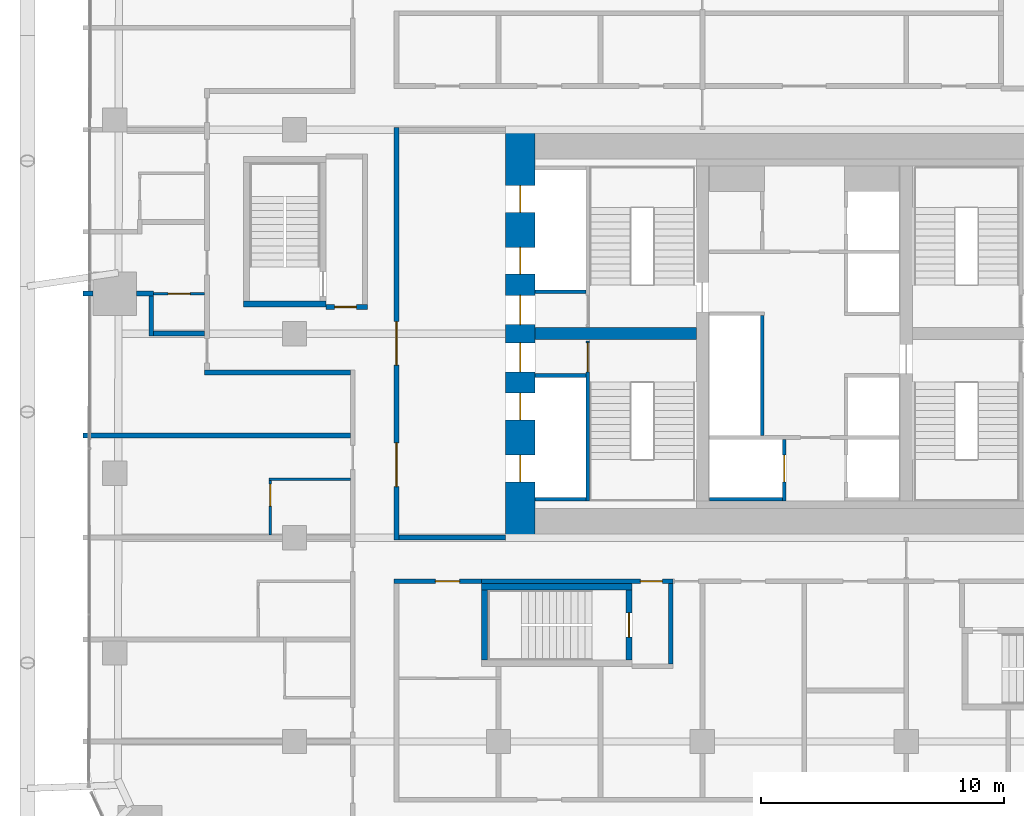
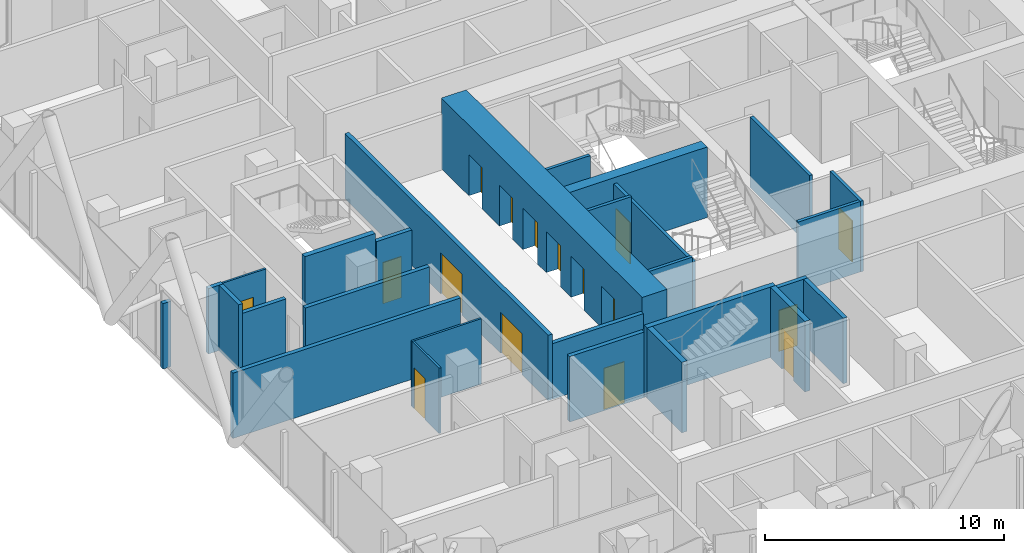
# One storey, part 29 of 38: 28 walls, 16 doors, 16 openings.
"""IFC4 building model written with IfcOpenShell, lengths in metres."""

from ifc_helpers import new_model, si_unit, direction, frame, frame_2d, origin, place, context, subcontext, project, spatial, rectangle, extrude, material, layer, layer_set, type_object, element, fill, save


model = new_model("IFC4")

# Units and contexts
model_context = context("Model", 3, precision=1e-05, world=origin(), true_north=direction((0.0, 1.0)))
body_context = subcontext(model_context, "Body", "Model", "MODEL_VIEW")
ifc_project = project(units=[si_unit("LENGTHUNIT", "METRE"), si_unit("AREAUNIT", "SQUARE_METRE"), si_unit("VOLUMEUNIT", "CUBIC_METRE"), si_unit("PLANEANGLEUNIT", "RADIAN"), si_unit("MASSUNIT", "GRAM", prefix="KILO")], contexts=[model_context])

# Site, building, storey
site_placement = place(None, origin())
site = spatial("IfcSite", under=ifc_project, at=site_placement, CompositionType="ELEMENT")
building_placement = place(site_placement, origin())
building = spatial("IfcBuilding", under=site, at=building_placement, Name="Marenta Gate Hotel Tower", CompositionType="ELEMENT")
storey_placement = place(building_placement, frame((0.0, 0.0, 54.5)))
storey = spatial("IfcBuildingStorey", under=building, at=storey_placement, Name="L11", CompositionType="ELEMENT", Elevation=54.5)

# Wall, openings, doors
ifc_material_1 = material(Name="Concrete blockwork", Category="masonry")
ifc_layer_1 = layer(ifc_material_1, 0.199951171875)
ifc_layer_set_1 = layer_set([ifc_layer_1], Name="Concrete blockwork")
wall_type_1 = type_object("IfcWallType", Name="Core boundary wall 200 REI 180", PredefinedType="PARTITIONING", material=ifc_layer_set_1)
wall_1_placement = place(storey_placement, frame((-16.800048828125, -0.10009765625, 0.0), z_axis=(0.0, 0.0, 1.0), x_axis=(0.0, 1.0, 0.0)))
wall_1 = element("IfcWall", 1, at=wall_1_placement, inside=storey, type_object=wall_type_1, Name="L11-CP-BW-W", PredefinedType="PARTITIONING", context=body_context, shape_type="SweptSolid", body=[
    extrude(rectangle(XDim=17.0, YDim=0.199951171875, at=frame_2d((8.5, 0.0))), origin(), (0.0, 0.0, 1.0), 3.340087890625),
])
opening_1_placement = place(wall_1_placement, frame((2.199951171875, 0.0, 0.0)))
opening_1 = element("IfcOpeningElement", 2, at=opening_1_placement, cuts=wall_1, Name="Opening ED-Wa-B", PredefinedType="OPENING", context=body_context, shape_type="SweptSolid", body=[
    extrude(rectangle(XDim=1.800048828125, YDim=2.10009765625, at=frame_2d((0.89990234375, 1.050048828125))), frame((0.0, 0.10009765625, 0.0), z_axis=(0.0, -1.0, 0.0), x_axis=(1.0, 0.0, 0.0)), (0.0, 0.0, 1.0), 0.199951171875),
])
opening_2_placement = place(wall_1_placement, frame((7.199951171875, 0.0, 0.0)))
opening_2 = element("IfcOpeningElement", 3, at=opening_2_placement, cuts=wall_1, Name="Opening ED-Wb-B", PredefinedType="OPENING", context=body_context, shape_type="SweptSolid", body=[
    extrude(rectangle(XDim=1.800048828125, YDim=2.10009765625, at=frame_2d((0.89990234375, 1.050048828125))), frame((0.0, 0.10009765625, 0.0), z_axis=(0.0, -1.0, 0.0), x_axis=(1.0, 0.0, 0.0)), (0.0, 0.0, 1.0), 0.199951171875),
])
ifc_material_2 = material(Name="Steel", Category="steel")
door_type_1 = type_object("IfcDoorType", Name="Core lobby entrance door 1800x2100 EI 60", OperationType="DOUBLE_DOOR_SINGLE_SWING", PredefinedType="DOOR", material=ifc_material_2)
door_1_placement = place(opening_1_placement, origin())
door_1 = element("IfcDoor", 4, at=door_1_placement, inside=storey, type_object=door_type_1, Name="ED-Wa-B", OperationType="DOUBLE_DOOR_SINGLE_SWING", OverallHeight=2.10009765625, OverallWidth=1.800048828125, PredefinedType="DOOR", context=body_context, shape_type="SweptSolid", body=[
    extrude(rectangle(XDim=1.800048828125, YDim=2.10009765625, at=frame_2d((0.89990234375, 1.050048828125))), frame((0.0, 0.02490234375, 0.0), z_axis=(0.0, -1.0, 0.0), x_axis=(1.0, 0.0, 0.0)), (0.0, 0.0, 1.0), 0.050048828125),
])
fill(opening_1, door_1)
door_2_placement = place(opening_2_placement, origin())
door_2 = element("IfcDoor", 5, at=door_2_placement, inside=storey, type_object=door_type_1, Name="ED-Wb-B", OperationType="DOUBLE_DOOR_SINGLE_SWING", OverallHeight=2.10009765625, OverallWidth=1.800048828125, PredefinedType="DOOR", context=body_context, shape_type="SweptSolid", body=[
    extrude(rectangle(XDim=1.800048828125, YDim=2.10009765625, at=frame_2d((0.89990234375, 1.050048828125))), frame((0.0, 0.02490234375, 0.0), z_axis=(0.0, -1.0, 0.0), x_axis=(1.0, 0.0, 0.0)), (0.0, 0.0, 1.0), 0.050048828125),
])
fill(opening_2, door_2)

# Walls
wall_2_placement = place(storey_placement, frame((-16.699951171875, 0.0, 0.0), z_axis=(0.0, 0.0, 1.0), x_axis=(1.0, 0.0, 0.0)))
element("IfcWall", 6, at=wall_2_placement, inside=storey, type_object=wall_type_1, Name="L11-CP-EW-WS", PredefinedType="PARTITIONING", context=body_context, shape_type="SweptSolid", body=[
    extrude(rectangle(XDim=4.39990234375, YDim=0.199951171875, at=frame_2d((2.199951171875, 0.0))), origin(), (0.0, 0.0, 1.0), 2.840087890625),
])
ifc_material_3 = material(Name="Concrete C40", Category="concrete")
ifc_layer_2 = layer(ifc_material_3, 0.14990234375)
ifc_layer_set_2 = layer_set([ifc_layer_2], Name="Concrete C40")
wall_type_2 = type_object("IfcWallType", Name="Core shaft wall 150 REI 180", PredefinedType="SHEAR", material=ifc_layer_set_2)
for number, where, z_axis, x_axis, name in (
    (7, (-11.10009765625, 6.675048828125, 0.0), (0.0, 0.0, 1.0), (1.0, 0.0, 0.0), "L11-SHF-SW-WS-2"),
    (8, (-11.10009765625, 1.574951171875, 0.0), (0.0, 0.0, 1.0), (1.0, 0.0, 0.0), "L11-SHF-SW-WS-5"),
    (9, (-11.10009765625, 10.125, 0.0), (0.0, 0.0, 1.0), (1.0, 0.0, 0.0), "L11-SHF-SW-WN-2"),
):
    element("IfcWall", number, at=place(storey_placement, frame(where, z_axis=z_axis, x_axis=x_axis)), inside=storey, type_object=wall_type_2, Name=name, PredefinedType="SHEAR", context=body_context, shape_type="SweptSolid", body=[
        extrude(rectangle(XDim=2.10009765625, YDim=0.14990234375, at=frame_2d((1.050048828125, 0.0))), origin(), (0.0, 0.0, 1.0), 3.60009765625),
    ])

# Wall, opening, door
wall_3_placement = place(storey_placement, frame((-0.824951171875, 1.5, 0.0), z_axis=(0.0, 0.0, 1.0), x_axis=(0.0, 1.0, 0.0)))
wall_3 = element("IfcWall", 10, at=wall_3_placement, inside=storey, type_object=wall_type_2, Name="L11-SHF-CW-W-ff", PredefinedType="SHEAR", context=body_context, shape_type="SweptSolid", body=[
    extrude(rectangle(XDim=2.550048828125, YDim=0.14990234375, at=frame_2d((1.27490234375, 0.0))), origin(), (0.0, 0.0, 1.0), 3.60009765625),
])
opening_3_placement = place(wall_3_placement, frame((0.800048828125, 0.0, 0.0)))
opening_3 = element("IfcOpeningElement", 11, at=opening_3_placement, cuts=wall_3, Name="Opening LD-FF1", PredefinedType="OPENING", context=body_context, shape_type="SweptSolid", body=[
    extrude(rectangle(XDim=1.10009765625, YDim=2.10009765625, at=frame_2d((0.550048828125, 1.050048828125))), frame((0.0, 0.074951171875, 0.0), z_axis=(0.0, -1.0, 0.0), x_axis=(1.0, 0.0, 0.0)), (0.0, 0.0, 1.0), 0.14990234375),
])
ifc_material_4 = material(Name="Steel", Category="steel")
door_type_2 = type_object("IfcDoorType", Name="Core lift landing door 1100x2100 E 60", OperationType="SLIDING_TO_LEFT", PredefinedType="DOOR", material=ifc_material_4)
door_3_placement = place(opening_3_placement, origin())
door_3 = element("IfcDoor", 12, at=door_3_placement, inside=storey, type_object=door_type_2, Name="LD-FF1", OperationType="SLIDING_TO_LEFT", OverallHeight=2.10009765625, OverallWidth=1.10009765625, PredefinedType="DOOR", context=body_context, shape_type="SweptSolid", body=[
    extrude(rectangle(XDim=1.10009765625, YDim=2.10009765625, at=frame_2d((0.550048828125, 1.050048828125))), frame((0.0, 0.02490234375, 0.0), z_axis=(0.0, -1.0, 0.0), x_axis=(1.0, 0.0, 0.0)), (0.0, 0.0, 1.0), 0.050048828125),
])
fill(opening_3, door_3)

# Walls
wall_4_placement = place(storey_placement, frame((-3.89990234375, 1.574951171875, 0.0), z_axis=(0.0, 0.0, 1.0), x_axis=(1.0, 0.0, 0.0)))
element("IfcWall", 13, at=wall_4_placement, inside=storey, type_object=wall_type_2, Name="L11-SHF-CW-W-ffs", PredefinedType="SHEAR", context=body_context, shape_type="SweptSolid", body=[
    extrude(rectangle(XDim=3.0, YDim=0.14990234375, at=frame_2d((1.5, 0.0))), origin(), (0.0, 0.0, 1.0), 3.60009765625),
])
wall_5_placement = place(storey_placement, frame((-1.72509765625, 4.199951171875, 0.0), z_axis=(0.0, 0.0, 1.0), x_axis=(0.0, 1.0, 0.0)))
element("IfcWall", 14, at=wall_5_placement, inside=storey, type_object=wall_type_2, Name="L11-SHF-CW-W-front", PredefinedType="SHEAR", context=body_context, shape_type="SweptSolid", body=[
    extrude(rectangle(XDim=4.949951171875, YDim=0.14990234375, at=frame_2d((2.47509765625, 0.0))), origin(), (0.0, 0.0, 1.0), 3.60009765625),
])

# Wall, opening, door
ifc_material_5 = material(Name="Concrete C40", Category="concrete")
ifc_layer_3 = layer(ifc_material_5, 0.14990234375)
ifc_layer_set_3 = layer_set([ifc_layer_3], Name="Concrete C40")
wall_type_3 = type_object("IfcWallType", Name="Core stair enclosure wall 150 REI 180", PredefinedType="SHEAR", material=ifc_layer_set_3)
wall_6_placement = place(storey_placement, frame((-8.925048828125, 1.5, 0.0), z_axis=(0.0, 0.0, 1.0), x_axis=(0.0, 1.0, 0.0)))
wall_6 = element("IfcWall", 15, at=wall_6_placement, inside=storey, type_object=wall_type_3, Name="L11-SHF-SW-WS-3", PredefinedType="SHEAR", context=body_context, shape_type="SweptSolid", body=[
    extrude(rectangle(XDim=6.60009765625, YDim=0.14990234375, at=frame_2d((3.300048828125, 0.0))), origin(), (0.0, 0.0, 1.0), 3.340087890625),
])
opening_4_placement = place(wall_6_placement, frame((5.324951171875, 0.0, 0.0)))
opening_4 = element("IfcOpeningElement", 16, at=opening_4_placement, cuts=wall_6, Name="Opening SD-WS", PredefinedType="OPENING", context=body_context, shape_type="SweptSolid", body=[
    extrude(rectangle(XDim=1.199951171875, YDim=2.10009765625, at=frame_2d((0.60009765625, 1.050048828125))), frame((0.0, 0.074951171875, 0.0), z_axis=(0.0, -1.0, 0.0), x_axis=(1.0, 0.0, 0.0)), (0.0, 0.0, 1.0), 0.14990234375),
])
ifc_material_6 = material(Name="Steel", Category="steel")
door_type_3 = type_object("IfcDoorType", Name="Core stair door 1200x2100 FD60", OperationType="SINGLE_SWING_LEFT", PredefinedType="DOOR", material=ifc_material_6)
door_4_placement = place(opening_4_placement, origin())
door_4 = element("IfcDoor", 17, at=door_4_placement, inside=storey, type_object=door_type_3, Name="SD-WS", OperationType="SINGLE_SWING_LEFT", OverallHeight=2.10009765625, OverallWidth=1.199951171875, PredefinedType="DOOR", context=body_context, shape_type="SweptSolid", body=[
    extrude(rectangle(XDim=1.199951171875, YDim=2.10009765625, at=frame_2d((0.60009765625, 1.050048828125))), frame((0.0, 0.02490234375, 0.0), z_axis=(0.0, -1.0, 0.0), x_axis=(1.0, 0.0, 0.0)), (0.0, 0.0, 1.0), 0.050048828125),
])
fill(opening_4, door_4)

# Wall, openings, doors
ifc_material_7 = material(Name="Concrete C80", Category="concrete")
ifc_layer_4 = layer(ifc_material_7, 1.199951171875)
ifc_layer_set_4 = layer_set([ifc_layer_4], Name="Concrete C80")
wall_type_4 = type_object("IfcWallType", Name="Core wall 1200 C80", PredefinedType="SHEAR", material=ifc_layer_set_4)
wall_7_placement = place(storey_placement, frame((-11.699951171875, 0.0, 0.0), z_axis=(0.0, 0.0, 1.0), x_axis=(0.0, 1.0, 0.0)))
wall_7 = element("IfcWall", 18, at=wall_7_placement, inside=storey, type_object=wall_type_4, Name="L11-CORE-W", PredefinedType="SHEAR", context=body_context, shape_type="SweptSolid", body=[
    extrude(rectangle(XDim=16.800048828125, YDim=1.199951171875, at=frame_2d((8.39990234375, 0.0))), origin(), (0.0, 0.0, 1.0), 3.60009765625),
])
opening_5_placement = place(wall_7_placement, frame((2.300048828125, 0.0, 0.0)))
opening_5 = element("IfcOpeningElement", 19, at=opening_5_placement, cuts=wall_7, Name="Opening LD-LR1", PredefinedType="OPENING", context=body_context, shape_type="SweptSolid", body=[
    extrude(rectangle(XDim=1.10009765625, YDim=2.10009765625, at=frame_2d((0.550048828125, 1.050048828125))), frame((0.0, 0.60009765625, 0.0), z_axis=(0.0, -1.0, 0.0), x_axis=(1.0, 0.0, 0.0)), (0.0, 0.0, 1.0), 1.199951171875),
])
opening_6_placement = place(wall_7_placement, frame((4.85009765625, 0.0, 0.0)))
opening_6 = element("IfcOpeningElement", 20, at=opening_6_placement, cuts=wall_7, Name="Opening LD-LR2", PredefinedType="OPENING", context=body_context, shape_type="SweptSolid", body=[
    extrude(rectangle(XDim=1.10009765625, YDim=2.10009765625, at=frame_2d((0.550048828125, 1.050048828125))), frame((0.0, 0.60009765625, 0.0), z_axis=(0.0, -1.0, 0.0), x_axis=(1.0, 0.0, 0.0)), (0.0, 0.0, 1.0), 1.199951171875),
])
opening_7_placement = place(wall_7_placement, frame((6.824951171875, 0.0, 0.0)))
opening_7 = element("IfcOpeningElement", 21, at=opening_7_placement, cuts=wall_7, Name="Opening PD-WS", PredefinedType="OPENING", context=body_context, shape_type="SweptSolid", body=[
    extrude(rectangle(XDim=1.199951171875, YDim=2.10009765625, at=frame_2d((0.60009765625, 1.050048828125))), frame((0.0, 0.60009765625, 0.0), z_axis=(0.0, -1.0, 0.0), x_axis=(1.0, 0.0, 0.0)), (0.0, 0.0, 1.0), 1.199951171875),
])
opening_8_placement = place(wall_7_placement, frame((13.39990234375, 0.0, 0.0)))
opening_8 = element("IfcOpeningElement", 22, at=opening_8_placement, cuts=wall_7, Name="Opening LD-LR4", PredefinedType="OPENING", context=body_context, shape_type="SweptSolid", body=[
    extrude(rectangle(XDim=1.10009765625, YDim=2.10009765625, at=frame_2d((0.550048828125, 1.050048828125))), frame((0.0, 0.60009765625, 0.0), z_axis=(0.0, -1.0, 0.0), x_axis=(1.0, 0.0, 0.0)), (0.0, 0.0, 1.0), 1.199951171875),
])
opening_9_placement = place(wall_7_placement, frame((10.85009765625, 0.0, 0.0)))
opening_9 = element("IfcOpeningElement", 23, at=opening_9_placement, cuts=wall_7, Name="Opening LD-LR3", PredefinedType="OPENING", context=body_context, shape_type="SweptSolid", body=[
    extrude(rectangle(XDim=1.10009765625, YDim=2.10009765625, at=frame_2d((0.550048828125, 1.050048828125))), frame((0.0, 0.60009765625, 0.0), z_axis=(0.0, -1.0, 0.0), x_axis=(1.0, 0.0, 0.0)), (0.0, 0.0, 1.0), 1.199951171875),
])
opening_10_placement = place(wall_7_placement, frame((8.77490234375, 0.0, 0.0)))
opening_10 = element("IfcOpeningElement", 24, at=opening_10_placement, cuts=wall_7, Name="Opening PD-WN", PredefinedType="OPENING", context=body_context, shape_type="SweptSolid", body=[
    extrude(rectangle(XDim=1.199951171875, YDim=2.10009765625, at=frame_2d((0.60009765625, 1.050048828125))), frame((0.0, 0.60009765625, 0.0), z_axis=(0.0, -1.0, 0.0), x_axis=(1.0, 0.0, 0.0)), (0.0, 0.0, 1.0), 1.199951171875),
])
door_5_placement = place(opening_5_placement, origin())
door_5 = element("IfcDoor", 25, at=door_5_placement, inside=storey, type_object=door_type_2, Name="LD-LR1", OperationType="SLIDING_TO_LEFT", OverallHeight=2.10009765625, OverallWidth=1.10009765625, PredefinedType="DOOR", context=body_context, shape_type="SweptSolid", body=[
    extrude(rectangle(XDim=1.10009765625, YDim=2.10009765625, at=frame_2d((0.550048828125, 1.050048828125))), frame((0.0, 0.02490234375, 0.0), z_axis=(0.0, -1.0, 0.0), x_axis=(1.0, 0.0, 0.0)), (0.0, 0.0, 1.0), 0.050048828125),
])
fill(opening_5, door_5)
door_6_placement = place(opening_6_placement, origin())
door_6 = element("IfcDoor", 26, at=door_6_placement, inside=storey, type_object=door_type_2, Name="LD-LR2", OperationType="SLIDING_TO_LEFT", OverallHeight=2.10009765625, OverallWidth=1.10009765625, PredefinedType="DOOR", context=body_context, shape_type="SweptSolid", body=[
    extrude(rectangle(XDim=1.10009765625, YDim=2.10009765625, at=frame_2d((0.550048828125, 1.050048828125))), frame((0.0, 0.02490234375, 0.0), z_axis=(0.0, -1.0, 0.0), x_axis=(1.0, 0.0, 0.0)), (0.0, 0.0, 1.0), 0.050048828125),
])
fill(opening_6, door_6)
door_7_placement = place(opening_8_placement, origin())
door_7 = element("IfcDoor", 27, at=door_7_placement, inside=storey, type_object=door_type_2, Name="LD-LR4", OperationType="SLIDING_TO_LEFT", OverallHeight=2.10009765625, OverallWidth=1.10009765625, PredefinedType="DOOR", context=body_context, shape_type="SweptSolid", body=[
    extrude(rectangle(XDim=1.10009765625, YDim=2.10009765625, at=frame_2d((0.550048828125, 1.050048828125))), frame((0.0, 0.02490234375, 0.0), z_axis=(0.0, -1.0, 0.0), x_axis=(1.0, 0.0, 0.0)), (0.0, 0.0, 1.0), 0.050048828125),
])
fill(opening_8, door_7)
door_8_placement = place(opening_9_placement, origin())
door_8 = element("IfcDoor", 28, at=door_8_placement, inside=storey, type_object=door_type_2, Name="LD-LR3", OperationType="SLIDING_TO_LEFT", OverallHeight=2.10009765625, OverallWidth=1.10009765625, PredefinedType="DOOR", context=body_context, shape_type="SweptSolid", body=[
    extrude(rectangle(XDim=1.10009765625, YDim=2.10009765625, at=frame_2d((0.550048828125, 1.050048828125))), frame((0.0, 0.02490234375, 0.0), z_axis=(0.0, -1.0, 0.0), x_axis=(1.0, 0.0, 0.0)), (0.0, 0.0, 1.0), 0.050048828125),
])
fill(opening_9, door_8)
ifc_material_8 = material(Name="Steel", Category="steel")
door_type_4 = type_object("IfcDoorType", Name="Core lobby door 1200x2100 FD60", OperationType="SINGLE_SWING_LEFT", PredefinedType="DOOR", material=ifc_material_8)
door_9_placement = place(opening_7_placement, origin())
door_9 = element("IfcDoor", 29, at=door_9_placement, inside=storey, type_object=door_type_4, Name="PD-WS", OperationType="SINGLE_SWING_LEFT", OverallHeight=2.10009765625, OverallWidth=1.199951171875, PredefinedType="DOOR", context=body_context, shape_type="SweptSolid", body=[
    extrude(rectangle(XDim=1.199951171875, YDim=2.10009765625, at=frame_2d((0.60009765625, 1.050048828125))), frame((0.0, 0.02490234375, 0.0), z_axis=(0.0, -1.0, 0.0), x_axis=(1.0, 0.0, 0.0)), (0.0, 0.0, 1.0), 0.050048828125),
])
fill(opening_7, door_9)
door_10_placement = place(opening_10_placement, origin())
door_10 = element("IfcDoor", 30, at=door_10_placement, inside=storey, type_object=door_type_4, Name="PD-WN", OperationType="SINGLE_SWING_LEFT", OverallHeight=2.10009765625, OverallWidth=1.199951171875, PredefinedType="DOOR", context=body_context, shape_type="SweptSolid", body=[
    extrude(rectangle(XDim=1.199951171875, YDim=2.10009765625, at=frame_2d((0.60009765625, 1.050048828125))), frame((0.0, 0.02490234375, 0.0), z_axis=(0.0, -1.0, 0.0), x_axis=(1.0, 0.0, 0.0)), (0.0, 0.0, 1.0), 0.050048828125),
])
fill(opening_10, door_10)

# Walls
ifc_material_9 = material(Name="Concrete C80", Category="concrete")
ifc_layer_5 = layer(ifc_material_9, 0.5)
ifc_layer_set_5 = layer_set([ifc_layer_5], Name="Concrete C80")
wall_type_5 = type_object("IfcWallType", Name="Core web 500 C80", PredefinedType="SHEAR", material=ifc_layer_set_5)
wall_8_placement = place(storey_placement, frame((-11.10009765625, 8.39990234375, 0.0), z_axis=(0.0, 0.0, 1.0), x_axis=(1.0, 0.0, 0.0)))
element("IfcWall", 31, at=wall_8_placement, inside=storey, type_object=wall_type_5, Name="L11-CORE-W3", PredefinedType="SHEAR", context=body_context, shape_type="SweptSolid", body=[
    extrude(rectangle(XDim=6.650146484375, YDim=0.5, at=frame_2d((3.3251953125, 0.0))), origin(), (0.0, 0.0, 1.0), 3.60009765625),
])
ifc_material_10 = material(Name="Concrete C40", Category="concrete")
ifc_layer_6 = layer(ifc_material_10, 0.25)
ifc_layer_set_6 = layer_set([ifc_layer_6], Name="Concrete C40")
wall_type_6 = type_object("IfcWallType", Name="Remote stair enclosure wall 250 REI 180", PredefinedType="SHEAR", material=ifc_layer_set_6)
wall_9_placement = place(storey_placement, frame((-13.300048828125, -2.02490234375, 0.10009765625), z_axis=(0.0, 0.0, 1.0), x_axis=(1.0, 0.0, 0.0)))
element("IfcWall", 32, at=wall_9_placement, inside=storey, type_object=wall_type_6, Name="L11-RS-Z1-2-W2", PredefinedType="SHEAR", context=body_context, shape_type="SweptSolid", body=[
    extrude(rectangle(XDim=6.199951171875, YDim=0.25, at=frame_2d((3.10009765625, 0.0))), origin(), (0.0, 0.0, 1.0), 3.599853515625),
])
wall_10_placement = place(storey_placement, frame((-13.175048828125, -5.050048828125, 0.10009765625), z_axis=(0.0, 0.0, 1.0), x_axis=(0.0, 1.0, 0.0)))
element("IfcWall", 33, at=wall_10_placement, inside=storey, type_object=wall_type_6, Name="L11-RS-Z1-2-W3", PredefinedType="SHEAR", context=body_context, shape_type="SweptSolid", body=[
    extrude(rectangle(XDim=2.900146484375, YDim=0.25, at=frame_2d((1.4501953125, 0.0))), origin(), (0.0, 0.0, 1.0), 3.599853515625),
])

# Wall, opening, door
wall_11_placement = place(storey_placement, frame((-7.22509765625, -5.050048828125, 0.10009765625), z_axis=(0.0, 0.0, 1.0), x_axis=(0.0, 1.0, 0.0)))
wall_11 = element("IfcWall", 34, at=wall_11_placement, inside=storey, type_object=wall_type_6, Name="L11-RS-Z1-2-W4", PredefinedType="SHEAR", context=body_context, shape_type="SweptSolid", body=[
    extrude(rectangle(XDim=2.900146484375, YDim=0.25, at=frame_2d((1.4501953125, 0.0))), origin(), (0.0, 0.0, 1.0), 3.599853515625),
])
opening_11_placement = place(wall_11_placement, frame((0.949951171875, 0.0, 0.0)))
opening_11 = element("IfcOpeningElement", 35, at=opening_11_placement, cuts=wall_11, Name="Opening VD", PredefinedType="OPENING", context=body_context, shape_type="SweptSolid", body=[
    extrude(rectangle(XDim=1.0, YDim=2.10009765625, at=frame_2d((0.5, 1.050048828125))), frame((0.0, 0.125, 0.0), z_axis=(0.0, -1.0, 0.0), x_axis=(1.0, 0.0, 0.0)), (0.0, 0.0, 1.0), 0.25),
])
ifc_material_11 = material(Name="Steel", Category="steel")
door_type_5 = type_object("IfcDoorType", Name="Stair vestibule door 1000x2100 FD60", OperationType="SINGLE_SWING_LEFT", PredefinedType="DOOR", material=ifc_material_11)
door_11_placement = place(opening_11_placement, origin())
door_11 = element("IfcDoor", 36, at=door_11_placement, inside=storey, type_object=door_type_5, Name="VD", OperationType="SINGLE_SWING_LEFT", OverallHeight=2.10009765625, OverallWidth=1.0, PredefinedType="DOOR", context=body_context, shape_type="SweptSolid", body=[
    extrude(rectangle(XDim=1.0, YDim=2.10009765625, at=frame_2d((0.5, 1.050048828125))), frame((0.0, 0.02490234375, 0.0), z_axis=(0.0, -1.0, 0.0), x_axis=(1.0, 0.0, 0.0)), (0.0, 0.0, 1.0), 0.050048828125),
])
fill(opening_11, door_11)

# Wall
wall_12_placement = place(storey_placement, frame((-23.10009765625, 9.625, 0.10009765625), z_axis=(0.0, 0.0, 1.0), x_axis=(1.0, 0.0, 0.0)))
element("IfcWall", 37, at=wall_12_placement, inside=storey, type_object=wall_type_6, Name="L11-RS-Z1-3-W1", PredefinedType="SHEAR", context=body_context, shape_type="SweptSolid", body=[
    extrude(rectangle(XDim=3.400146484375, YDim=0.25, at=frame_2d((1.7001953125, 0.0))), origin(), (0.0, 0.0, 1.0), 3.599853515625),
])

# Wall, opening, door
ifc_material_12 = material(Name="Gypsum board on steel stud", Category="steel")
ifc_layer_7 = layer(ifc_material_12, 0.199951171875)
ifc_layer_set_7 = layer_set([ifc_layer_7], Name="Gypsum board on steel stud")
wall_type_7 = type_object("IfcWallType", Name="Room corridor wall 200 EI 60", PredefinedType="PARTITIONING", material=ifc_layer_set_7)
wall_13_placement = place(storey_placement, frame((-16.89990234375, -1.800048828125, 0.0), z_axis=(0.0, 0.0, 1.0), x_axis=(1.0, 0.0, 0.0)))
wall_13 = element("IfcWall", 38, at=wall_13_placement, inside=storey, type_object=wall_type_7, Name="L11-PTN-W063", PredefinedType="PARTITIONING", context=body_context, shape_type="SweptSolid", body=[
    extrude(rectangle(XDim=3.599853515625, YDim=0.199951171875, at=frame_2d((1.7998046875, 0.0))), origin(), (0.0, 0.0, 1.0), 3.340087890625),
])
opening_12_placement = place(wall_13_placement, frame((1.699951171875, 0.0, 0.0)))
opening_12 = element("IfcOpeningElement", 39, at=opening_12_placement, cuts=wall_13, Name="Opening G04-05", PredefinedType="OPENING", context=body_context, shape_type="SweptSolid", body=[
    extrude(rectangle(XDim=1.0, YDim=2.10009765625, at=frame_2d((0.5, 1.050048828125))), frame((0.0, 0.10009765625, 0.0), z_axis=(0.0, -1.0, 0.0), x_axis=(1.0, 0.0, 0.0)), (0.0, 0.0, 1.0), 0.199951171875),
])
ifc_material_13 = material(Name="Hollow steel door set", Category="steel")
door_type_6 = type_object("IfcDoorType", Name="Room service door 1000x2100 EI 30", OperationType="NOTDEFINED", PredefinedType="DOOR", material=ifc_material_13)
door_12_placement = place(opening_12_placement, origin())
door_12 = element("IfcDoor", 40, at=door_12_placement, inside=storey, type_object=door_type_6, Name="L11-PD-D005", OperationType="SINGLE_SWING_RIGHT", OverallHeight=2.10009765625, OverallWidth=1.0, PredefinedType="DOOR", context=body_context, shape_type="SweptSolid", body=[
    extrude(rectangle(XDim=1.0, YDim=2.10009765625, at=frame_2d((0.5, 1.050048828125))), frame((0.0, 0.02490234375, 0.0), z_axis=(0.0, -1.0, 0.0), x_axis=(1.0, 0.0, 0.0)), (0.0, 0.0, 1.0), 0.050048828125),
])
fill(opening_12, door_12)

# Wall
wall_14_placement = place(storey_placement, frame((-24.699951171875, 6.800048828125, 0.0), z_axis=(0.0, 0.0, 1.0), x_axis=(1.0, 0.0, 0.0)))
element("IfcWall", 41, at=wall_14_placement, inside=storey, type_object=wall_type_7, Name="L11-PTN-W085", PredefinedType="PARTITIONING", context=body_context, shape_type="SweptSolid", body=[
    extrude(rectangle(XDim=6.0, YDim=0.199951171875, at=frame_2d((3.0, 0.0))), origin(), (0.0, 0.0, 1.0), 3.340087890625),
])

# Wall, opening, door
ifc_material_14 = material(Name="Concrete blockwork", Category="masonry")
ifc_layer_8 = layer(ifc_material_14, 0.199951171875)
ifc_layer_set_8 = layer_set([ifc_layer_8], Name="Concrete blockwork")
wall_type_8 = type_object("IfcWallType", Name="Room corridor wall 200 REI 180", PredefinedType="PARTITIONING", material=ifc_layer_set_8)
wall_15_placement = place(storey_placement, frame((-13.300048828125, -1.800048828125, 0.0), z_axis=(0.0, 0.0, 1.0), x_axis=(1.0, 0.0, 0.0)))
wall_15 = element("IfcWall", 42, at=wall_15_placement, inside=storey, type_object=wall_type_8, Name="L11-PTN-W065", PredefinedType="PARTITIONING", context=body_context, shape_type="SweptSolid", body=[
    extrude(rectangle(XDim=7.900146484375, YDim=0.199951171875, at=frame_2d((3.9501953125, 0.0))), origin(), (0.0, 0.0, 1.0), 3.340087890625),
])
opening_13_placement = place(wall_15_placement, frame((6.550048828125, 0.0, 0.0)))
opening_13 = element("IfcOpeningElement", 43, at=opening_13_placement, cuts=wall_15, Name="Opening G04-68", PredefinedType="OPENING", context=body_context, shape_type="SweptSolid", body=[
    extrude(rectangle(XDim=0.89990234375, YDim=2.10009765625, at=frame_2d((0.449951171875, 1.050048828125))), frame((0.0, 0.10009765625, 0.0), z_axis=(0.0, -1.0, 0.0), x_axis=(1.0, 0.0, 0.0)), (0.0, 0.0, 1.0), 0.199951171875),
])
ifc_material_15 = material(Name="Hollow steel door set", Category="steel")
door_type_7 = type_object("IfcDoorType", Name="Stair vestibule door 900x2100 EI 60", OperationType="NOTDEFINED", PredefinedType="DOOR", material=ifc_material_15)
door_13_placement = place(opening_13_placement, origin())
door_13 = element("IfcDoor", 44, at=door_13_placement, inside=storey, type_object=door_type_7, Name="L11-PD-D068", OperationType="SINGLE_SWING_LEFT", OverallHeight=2.10009765625, OverallWidth=0.89990234375, PredefinedType="DOOR", context=body_context, shape_type="SweptSolid", body=[
    extrude(rectangle(XDim=0.89990234375, YDim=2.10009765625, at=frame_2d((0.449951171875, 1.050048828125))), frame((0.0, 0.02490234375, 0.0), z_axis=(0.0, -1.0, 0.0), x_axis=(1.0, 0.0, 0.0)), (0.0, 0.0, 1.0), 0.050048828125),
])
fill(opening_13, door_13)

wall_16_placement = place(storey_placement, frame((-19.699951171875, 9.5, 0.0), z_axis=(0.0, 0.0, 1.0), x_axis=(1.0, 0.0, 0.0)))
wall_16 = element("IfcWall", 45, at=wall_16_placement, inside=storey, type_object=wall_type_8, Name="L11-PTN-W092", PredefinedType="PARTITIONING", context=body_context, shape_type="SweptSolid", body=[
    extrude(rectangle(XDim=1.699951171875, YDim=0.199951171875, at=frame_2d((0.85009765625, 0.0))), origin(), (0.0, 0.0, 1.0), 3.340087890625),
])
opening_14_placement = place(wall_16_placement, frame((0.35009765625, 0.0, 0.0)))
opening_14 = element("IfcOpeningElement", 46, at=opening_14_placement, cuts=wall_16, Name="Opening G04-69", PredefinedType="OPENING", context=body_context, shape_type="SweptSolid", body=[
    extrude(rectangle(XDim=0.89990234375, YDim=2.10009765625, at=frame_2d((0.449951171875, 1.050048828125))), frame((0.0, 0.10009765625, 0.0), z_axis=(0.0, -1.0, 0.0), x_axis=(1.0, 0.0, 0.0)), (0.0, 0.0, 1.0), 0.199951171875),
])
door_14_placement = place(opening_14_placement, origin())
door_14 = element("IfcDoor", 47, at=door_14_placement, inside=storey, type_object=door_type_7, Name="L11-PD-D069", OperationType="SINGLE_SWING_RIGHT", OverallHeight=2.10009765625, OverallWidth=0.89990234375, PredefinedType="DOOR", context=body_context, shape_type="SweptSolid", body=[
    extrude(rectangle(XDim=0.89990234375, YDim=2.10009765625, at=frame_2d((0.449951171875, 1.050048828125))), frame((0.0, 0.02490234375, 0.0), z_axis=(0.0, -1.0, 0.0), x_axis=(1.0, 0.0, 0.0)), (0.0, 0.0, 1.0), 0.050048828125),
])
fill(opening_14, door_14)

# Wall
ifc_material_16 = material(Name="Gypsum board on steel stud", Category="steel")
ifc_layer_9 = layer(ifc_material_16, 0.10009765625)
ifc_layer_set_9 = layer_set([ifc_layer_9], Name="Gypsum board on steel stud")
wall_type_9 = type_object("IfcWallType", Name="Room partition 100", PredefinedType="PARTITIONING", material=ifc_layer_set_9)
wall_17_placement = place(storey_placement, frame((-22.050048828125, 2.39990234375, 0.0), z_axis=(0.0, 0.0, 1.0), x_axis=(1.0, 0.0, 0.0)))
element("IfcWall", 48, at=wall_17_placement, inside=storey, type_object=wall_type_9, Name="L11-PTN-W073", PredefinedType="PARTITIONING", context=body_context, shape_type="SweptSolid", body=[
    extrude(rectangle(XDim=3.35009765625, YDim=0.10009765625, at=frame_2d((1.675048828125, 0.0))), origin(), (0.0, 0.0, 1.0), 3.340087890625),
])

# Wall, opening, door
wall_18_placement = place(storey_placement, frame((-27.0, 10.050048828125, 0.0), z_axis=(0.0, 0.0, 1.0), x_axis=(1.0, 0.0, 0.0)))
wall_18 = element("IfcWall", 49, at=wall_18_placement, inside=storey, type_object=wall_type_9, Name="L11-PTN-W094", PredefinedType="PARTITIONING", context=body_context, shape_type="SweptSolid", body=[
    extrude(rectangle(XDim=2.300048828125, YDim=0.10009765625, at=frame_2d((1.14990234375, 0.0))), origin(), (0.0, 0.0, 1.0), 3.340087890625),
])
opening_15_placement = place(wall_18_placement, frame((0.800048828125, 0.0, 0.0)))
opening_15 = element("IfcOpeningElement", 50, at=opening_15_placement, cuts=wall_18, Name="Opening G04-87", PredefinedType="OPENING", context=body_context, shape_type="SweptSolid", body=[
    extrude(rectangle(XDim=0.89990234375, YDim=2.10009765625, at=frame_2d((0.449951171875, 1.050048828125))), frame((0.0, 0.050048828125, 0.0), z_axis=(0.0, -1.0, 0.0), x_axis=(1.0, 0.0, 0.0)), (0.0, 0.0, 1.0), 0.10009765625),
])
ifc_material_17 = material(Name="Timber door leaf", Category="wood")
door_type_8 = type_object("IfcDoorType", Name="Guest bathroom door 900x2100", OperationType="NOTDEFINED", PredefinedType="DOOR", material=ifc_material_17)
door_15_placement = place(opening_15_placement, origin())
door_15 = element("IfcDoor", 51, at=door_15_placement, inside=storey, type_object=door_type_8, Name="L11-PD-D087", OperationType="SINGLE_SWING_LEFT", OverallHeight=2.10009765625, OverallWidth=0.89990234375, PredefinedType="DOOR", context=body_context, shape_type="SweptSolid", body=[
    extrude(rectangle(XDim=0.89990234375, YDim=2.10009765625, at=frame_2d((0.449951171875, 1.050048828125))), frame((0.0, 0.02490234375, 0.0), z_axis=(0.0, -1.0, 0.0), x_axis=(1.0, 0.0, 0.0)), (0.0, 0.0, 1.0), 0.050048828125),
])
fill(opening_15, door_15)

wall_19_placement = place(storey_placement, frame((-22.0, 0.10009765625, 0.0), z_axis=(0.0, 0.0, 1.0), x_axis=(0.0, 1.0, 0.0)))
wall_19 = element("IfcWall", 52, at=wall_19_placement, inside=storey, type_object=wall_type_9, Name="L11-PTN-W129", PredefinedType="PARTITIONING", context=body_context, shape_type="SweptSolid", body=[
    extrude(rectangle(XDim=2.25, YDim=0.10009765625, at=frame_2d((1.125, 0.0))), origin(), (0.0, 0.0, 1.0), 3.340087890625),
])
opening_16_placement = place(wall_19_placement, frame((1.199951171875, 0.0, 0.0)))
opening_16 = element("IfcOpeningElement", 53, at=opening_16_placement, cuts=wall_19, Name="Opening G04-58", PredefinedType="OPENING", context=body_context, shape_type="SweptSolid", body=[
    extrude(rectangle(XDim=0.89990234375, YDim=2.10009765625, at=frame_2d((0.449951171875, 1.050048828125))), frame((0.0, 0.050048828125, 0.0), z_axis=(0.0, -1.0, 0.0), x_axis=(1.0, 0.0, 0.0)), (0.0, 0.0, 1.0), 0.10009765625),
])
door_16_placement = place(opening_16_placement, origin())
door_16 = element("IfcDoor", 54, at=door_16_placement, inside=storey, type_object=door_type_8, Name="L11-PD-D058", OperationType="SINGLE_SWING_LEFT", OverallHeight=2.10009765625, OverallWidth=0.89990234375, PredefinedType="DOOR", context=body_context, shape_type="SweptSolid", body=[
    extrude(rectangle(XDim=0.89990234375, YDim=2.10009765625, at=frame_2d((0.449951171875, 1.050048828125))), frame((0.0, 0.02490234375, 0.0), z_axis=(0.0, -1.0, 0.0), x_axis=(1.0, 0.0, 0.0)), (0.0, 0.0, 1.0), 0.050048828125),
])
fill(opening_16, door_16)

# Walls
ifc_material_18 = material(Name="Gypsum board on steel stud", Category="steel")
ifc_layer_10 = layer(ifc_material_18, 0.199951171875)
ifc_layer_set_10 = layer_set([ifc_layer_10], Name="Gypsum board on steel stud")
wall_type_10 = type_object("IfcWallType", Name="Room party wall 200 EI 60", PredefinedType="PARTITIONING", material=ifc_layer_set_10)
wall_20_placement = place(storey_placement, frame((-29.699951171875, 4.199951171875, 0.0), z_axis=(0.0, 0.0, 1.0), x_axis=(1.0, 0.0, 0.0)))
element("IfcWall", 55, at=wall_20_placement, inside=storey, type_object=wall_type_10, Name="L11-PTN-W079", PredefinedType="PARTITIONING", context=body_context, shape_type="SweptSolid", body=[
    extrude(rectangle(XDim=11.0, YDim=0.199951171875, at=frame_2d((5.5, 0.0))), origin(), (0.0, 0.0, 1.0), 3.340087890625),
])
wall_21_placement = place(storey_placement, frame((-26.800048828125, 8.39990234375, 0.0), z_axis=(0.0, 0.0, 1.0), x_axis=(1.0, 0.0, 0.0)))
element("IfcWall", 56, at=wall_21_placement, inside=storey, type_object=wall_type_10, Name="L11-PTN-W090", PredefinedType="PARTITIONING", context=body_context, shape_type="SweptSolid", body=[
    extrude(rectangle(XDim=2.10009765625, YDim=0.199951171875, at=frame_2d((1.050048828125, 0.0))), origin(), (0.0, 0.0, 1.0), 2.840087890625),
])
wall_22_placement = place(storey_placement, frame((-29.699951171875, 10.050048828125, 0.0), z_axis=(0.0, 0.0, 1.0), x_axis=(1.0, 0.0, 0.0)))
element("IfcWall", 57, at=wall_22_placement, inside=storey, type_object=wall_type_10, Name="L11-PTN-W093", PredefinedType="PARTITIONING", context=body_context, shape_type="SweptSolid", body=[
    extrude(rectangle(XDim=0.39990234375, YDim=0.199951171875, at=frame_2d((0.199951171875, 0.0))), origin(), (0.0, 0.0, 1.0), 3.340087890625),
])
wall_23_placement = place(storey_placement, frame((-27.5, 10.050048828125, 0.0), z_axis=(0.0, 0.0, 1.0), x_axis=(1.0, 0.0, 0.0)))
element("IfcWall", 58, at=wall_23_placement, inside=storey, type_object=wall_type_10, Name="L11-PTN-W159", PredefinedType="PARTITIONING", context=body_context, shape_type="SweptSolid", body=[
    extrude(rectangle(XDim=0.699951171875, YDim=0.199951171875, at=frame_2d((0.35009765625, 0.0))), origin(), (0.0, 0.0, 1.0), 3.340087890625),
])
wall_24_placement = place(storey_placement, frame((-26.89990234375, 8.300048828125, 0.0), z_axis=(0.0, 0.0, 1.0), x_axis=(0.0, 1.0, 0.0)))
element("IfcWall", 59, at=wall_24_placement, inside=storey, type_object=wall_type_10, Name="L11-PTN-W144", PredefinedType="PARTITIONING", context=body_context, shape_type="SweptSolid", body=[
    extrude(rectangle(XDim=1.699951171875, YDim=0.199951171875, at=frame_2d((0.85009765625, 0.0))), origin(), (0.0, 0.0, 1.0), 3.340087890625),
])
ifc_material_19 = material(Name="Concrete blockwork", Category="masonry")
ifc_layer_11 = layer(ifc_material_19, 0.199951171875)
ifc_layer_set_11 = layer_set([ifc_layer_11], Name="Concrete blockwork")
wall_type_11 = type_object("IfcWallType", Name="Room party wall 200 REI 180", PredefinedType="PARTITIONING", material=ifc_layer_set_11)
wall_25_placement = place(storey_placement, frame((-5.5, -5.199951171875, 0.0), z_axis=(0.0, 0.0, 1.0), x_axis=(0.0, 1.0, 0.0)))
element("IfcWall", 60, at=wall_25_placement, inside=storey, type_object=wall_type_11, Name="L11-PTN-W081", PredefinedType="PARTITIONING", context=body_context, shape_type="SweptSolid", body=[
    extrude(rectangle(XDim=3.300048828125, YDim=0.199951171875, at=frame_2d((1.64990234375, 0.0))), origin(), (0.0, 0.0, 1.0), 3.340087890625),
])

save(model, "model.ifc")
